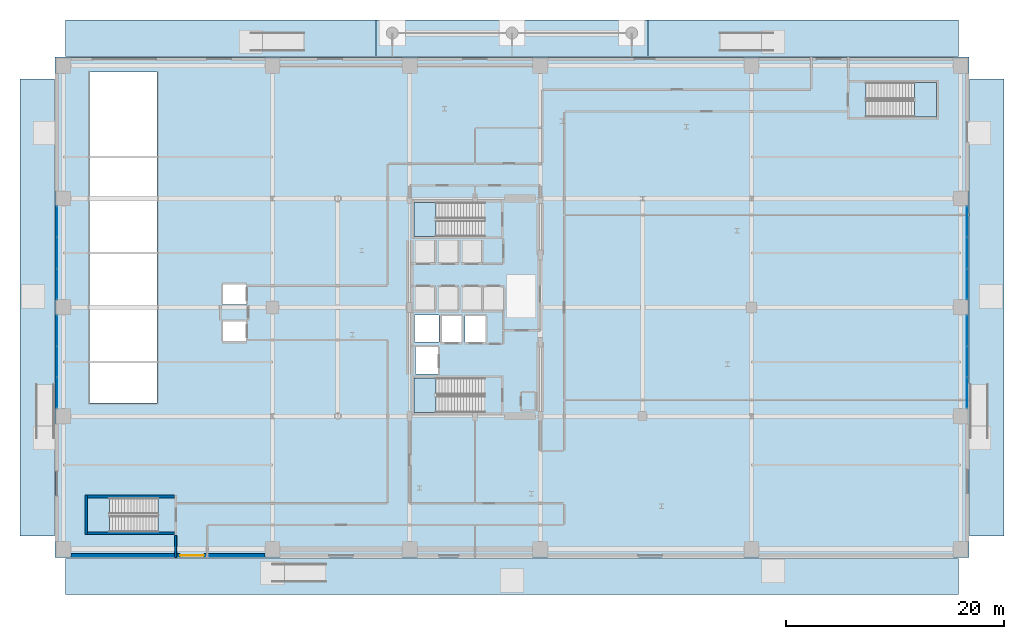
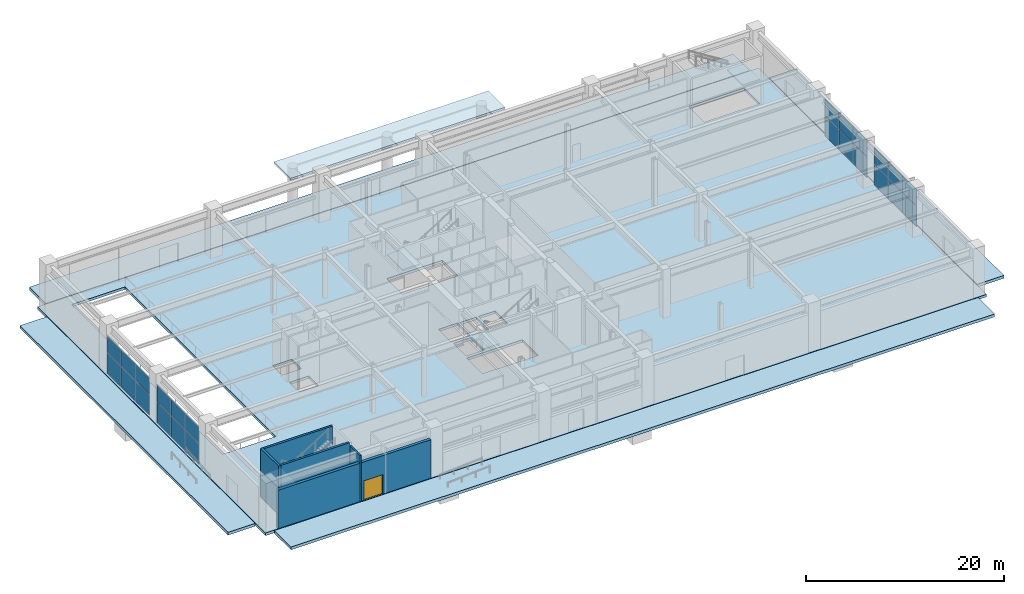
# One storey, part 19 of 31: 24 plates, 10 slabs, 5 walls, 1 door, 1 opening, 8 elements without a shape of their own.
"""IFC4 building model written with IfcOpenShell, lengths in metres."""

from ifc_helpers import new_model, si_unit, direction, frame, frame_2d, origin, origin_2d, place, context, subcontext, project, spatial, polyline, rectangle, outline, extrude, material, layer, layer_set, type_object, element, fill, aggregate, save


model = new_model("IFC4")

# Units and contexts
model_context = context("Model", 3, precision=1e-05, world=origin(), true_north=direction((0.0, 1.0)))
body_context = subcontext(model_context, "Body", "Model", "MODEL_VIEW")
ifc_project = project(units=[si_unit("LENGTHUNIT", "METRE"), si_unit("AREAUNIT", "SQUARE_METRE"), si_unit("VOLUMEUNIT", "CUBIC_METRE"), si_unit("PLANEANGLEUNIT", "RADIAN"), si_unit("MASSUNIT", "GRAM", prefix="KILO")], contexts=[model_context])

# Site, building, storey
site_placement = place(None, origin())
site = spatial("IfcSite", under=ifc_project, at=site_placement, CompositionType="ELEMENT")
building_placement = place(site_placement, origin())
building = spatial("IfcBuilding", under=site, at=building_placement, Name="Soratama Intermodal Tower", CompositionType="ELEMENT")
storey_placement = place(building_placement, origin())
storey = spatial("IfcBuildingStorey", under=building, at=storey_placement, Name="L00", CompositionType="ELEMENT", Elevation=0.0)

# Curtain wall, plates
ifc_material_1 = material(Name="Double-glazed aluminium curtain wall", Category="aluminium")
ifc_layer_1 = layer(ifc_material_1, 0.159912109375)
ifc_layer_set_1 = layer_set([ifc_layer_1], Name="Double-glazed aluminium curtain wall")
curtain_wall_type = type_object("IfcCurtainWallType", Name="CW-SYS-1", PredefinedType="NOTDEFINED", material=ifc_layer_set_1)
curtain_wall_1_placement = place(storey_placement, origin())
curtain_wall_1 = element("IfcCurtainWall", 1, at=curtain_wall_1_placement, inside=storey, type_object=curtain_wall_type, Name="L00 Station Curtain Wall E1", PredefinedType="NOTDEFINED")
ifc_material_2 = material(Name="Low-E laminated double glazing", Category="glass")
ifc_layer_2 = layer(ifc_material_2, 0.035888671875)
ifc_layer_set_2 = layer_set([ifc_layer_2], Name="Low-E laminated double glazing")
plate_type = type_object("IfcPlateType", Name="PT-CWP-1", PredefinedType="CURTAIN_PANEL", material=ifc_layer_set_2)
plate_1_placement = place(storey_placement, frame((83.800048828125, 17.1484375, 0.06005859375), z_axis=(0.0, 0.0, 1.0), x_axis=(0.0, 1.0, 0.0)))
plate_1 = element("IfcPlate", 2, at=plate_1_placement, type_object=plate_type, Name="CW-1 panel 1.1", PredefinedType="CURTAIN_PANEL", context=body_context, shape_type="SweptSolid", body=[
    extrude(rectangle(XDim=2.776611328125, YDim=0.028076171875, at=origin_2d()), origin(), (0.0, 0.0, 1.0), 2.510009765625),
])
plate_2_placement = place(storey_placement, frame((83.800048828125, 17.1484375, 2.630126953125), z_axis=(0.0, 0.0, 1.0), x_axis=(0.0, 1.0, 0.0)))
plate_2 = element("IfcPlate", 3, at=plate_2_placement, type_object=plate_type, Name="CW-1 panel 1.2", PredefinedType="CURTAIN_PANEL", context=body_context, shape_type="SweptSolid", body=[
    extrude(rectangle(XDim=2.776611328125, YDim=0.028076171875, at=origin_2d()), origin(), (0.0, 0.0, 1.0), 2.0458984375),
])
plate_3_placement = place(storey_placement, frame((83.800048828125, 20.0, 0.06005859375), z_axis=(0.0, 0.0, 1.0), x_axis=(0.0, 1.0, 0.0)))
plate_3 = element("IfcPlate", 4, at=plate_3_placement, type_object=plate_type, Name="CW-1 panel 2.1", PredefinedType="CURTAIN_PANEL", context=body_context, shape_type="SweptSolid", body=[
    extrude(rectangle(XDim=2.806640625, YDim=0.028076171875, at=origin_2d()), origin(), (0.0, 0.0, 1.0), 2.510009765625),
])
plate_4_placement = place(storey_placement, frame((83.800048828125, 20.0, 2.630126953125), z_axis=(0.0, 0.0, 1.0), x_axis=(0.0, 1.0, 0.0)))
plate_4 = element("IfcPlate", 5, at=plate_4_placement, type_object=plate_type, Name="CW-1 panel 2.2", PredefinedType="CURTAIN_PANEL", context=body_context, shape_type="SweptSolid", body=[
    extrude(rectangle(XDim=2.806640625, YDim=0.028076171875, at=origin_2d()), origin(), (0.0, 0.0, 1.0), 2.0458984375),
])
plate_5_placement = place(storey_placement, frame((83.800048828125, 22.8515625, 0.06005859375), z_axis=(0.0, 0.0, 1.0), x_axis=(0.0, 1.0, 0.0)))
plate_5 = element("IfcPlate", 6, at=plate_5_placement, type_object=plate_type, Name="CW-1 panel 3.1", PredefinedType="CURTAIN_PANEL", context=body_context, shape_type="SweptSolid", body=[
    extrude(rectangle(XDim=2.776611328125, YDim=0.028076171875, at=origin_2d()), origin(), (0.0, 0.0, 1.0), 2.510009765625),
])
plate_6_placement = place(storey_placement, frame((83.800048828125, 22.8515625, 2.630126953125), z_axis=(0.0, 0.0, 1.0), x_axis=(0.0, 1.0, 0.0)))
plate_6 = element("IfcPlate", 7, at=plate_6_placement, type_object=plate_type, Name="CW-1 panel 3.2", PredefinedType="CURTAIN_PANEL", context=body_context, shape_type="SweptSolid", body=[
    extrude(rectangle(XDim=2.776611328125, YDim=0.028076171875, at=origin_2d()), origin(), (0.0, 0.0, 1.0), 2.0458984375),
])
aggregate(curtain_wall_1, [plate_1, plate_2, plate_3, plate_4, plate_5, plate_6])

curtain_wall_2_placement = place(storey_placement, origin())
curtain_wall_2 = element("IfcCurtainWall", 8, at=curtain_wall_2_placement, inside=storey, type_object=curtain_wall_type, Name="L00 Station Curtain Wall E2", PredefinedType="NOTDEFINED")
plate_7_placement = place(storey_placement, frame((83.800048828125, 27.1484375, 0.06005859375), z_axis=(0.0, 0.0, 1.0), x_axis=(0.0, 1.0, 0.0)))
plate_7 = element("IfcPlate", 9, at=plate_7_placement, type_object=plate_type, Name="CW-1 panel 1.1", PredefinedType="CURTAIN_PANEL", context=body_context, shape_type="SweptSolid", body=[
    extrude(rectangle(XDim=2.776611328125, YDim=0.028076171875, at=origin_2d()), origin(), (0.0, 0.0, 1.0), 2.510009765625),
])
plate_8_placement = place(storey_placement, frame((83.800048828125, 27.1484375, 2.630126953125), z_axis=(0.0, 0.0, 1.0), x_axis=(0.0, 1.0, 0.0)))
plate_8 = element("IfcPlate", 10, at=plate_8_placement, type_object=plate_type, Name="CW-1 panel 1.2", PredefinedType="CURTAIN_PANEL", context=body_context, shape_type="SweptSolid", body=[
    extrude(rectangle(XDim=2.776611328125, YDim=0.028076171875, at=origin_2d()), origin(), (0.0, 0.0, 1.0), 2.0458984375),
])
plate_9_placement = place(storey_placement, frame((83.800048828125, 30.0, 0.06005859375), z_axis=(0.0, 0.0, 1.0), x_axis=(0.0, 1.0, 0.0)))
plate_9 = element("IfcPlate", 11, at=plate_9_placement, type_object=plate_type, Name="CW-1 panel 2.1", PredefinedType="CURTAIN_PANEL", context=body_context, shape_type="SweptSolid", body=[
    extrude(rectangle(XDim=2.806640625, YDim=0.028076171875, at=origin_2d()), origin(), (0.0, 0.0, 1.0), 2.510009765625),
])
plate_10_placement = place(storey_placement, frame((83.800048828125, 30.0, 2.630126953125), z_axis=(0.0, 0.0, 1.0), x_axis=(0.0, 1.0, 0.0)))
plate_10 = element("IfcPlate", 12, at=plate_10_placement, type_object=plate_type, Name="CW-1 panel 2.2", PredefinedType="CURTAIN_PANEL", context=body_context, shape_type="SweptSolid", body=[
    extrude(rectangle(XDim=2.806640625, YDim=0.028076171875, at=origin_2d()), origin(), (0.0, 0.0, 1.0), 2.0458984375),
])
plate_11_placement = place(storey_placement, frame((83.800048828125, 32.8515625, 0.06005859375), z_axis=(0.0, 0.0, 1.0), x_axis=(0.0, 1.0, 0.0)))
plate_11 = element("IfcPlate", 13, at=plate_11_placement, type_object=plate_type, Name="CW-1 panel 3.1", PredefinedType="CURTAIN_PANEL", context=body_context, shape_type="SweptSolid", body=[
    extrude(rectangle(XDim=2.776611328125, YDim=0.028076171875, at=origin_2d()), origin(), (0.0, 0.0, 1.0), 2.510009765625),
])
plate_12_placement = place(storey_placement, frame((83.800048828125, 32.8515625, 2.630126953125), z_axis=(0.0, 0.0, 1.0), x_axis=(0.0, 1.0, 0.0)))
plate_12 = element("IfcPlate", 14, at=plate_12_placement, type_object=plate_type, Name="CW-1 panel 3.2", PredefinedType="CURTAIN_PANEL", context=body_context, shape_type="SweptSolid", body=[
    extrude(rectangle(XDim=2.776611328125, YDim=0.028076171875, at=origin_2d()), origin(), (0.0, 0.0, 1.0), 2.0458984375),
])
aggregate(curtain_wall_2, [plate_7, plate_8, plate_9, plate_10, plate_11, plate_12])

curtain_wall_3_placement = place(storey_placement, origin())
curtain_wall_3 = element("IfcCurtainWall", 15, at=curtain_wall_3_placement, inside=storey, type_object=curtain_wall_type, Name="L00 Station Curtain Wall W1", PredefinedType="NOTDEFINED")
plate_13_placement = place(storey_placement, frame((0.199951171875, 17.1484375, 0.06005859375), z_axis=(0.0, 0.0, 1.0), x_axis=(0.0, 1.0, 0.0)))
plate_13 = element("IfcPlate", 16, at=plate_13_placement, type_object=plate_type, Name="CW-1 panel 1.1", PredefinedType="CURTAIN_PANEL", context=body_context, shape_type="SweptSolid", body=[
    extrude(rectangle(XDim=2.776611328125, YDim=0.028076171875, at=origin_2d()), origin(), (0.0, 0.0, 1.0), 2.510009765625),
])
plate_14_placement = place(storey_placement, frame((0.199951171875, 17.1484375, 2.630126953125), z_axis=(0.0, 0.0, 1.0), x_axis=(0.0, 1.0, 0.0)))
plate_14 = element("IfcPlate", 17, at=plate_14_placement, type_object=plate_type, Name="CW-1 panel 1.2", PredefinedType="CURTAIN_PANEL", context=body_context, shape_type="SweptSolid", body=[
    extrude(rectangle(XDim=2.776611328125, YDim=0.028076171875, at=origin_2d()), origin(), (0.0, 0.0, 1.0), 2.0458984375),
])
plate_15_placement = place(storey_placement, frame((0.199951171875, 20.0, 0.06005859375), z_axis=(0.0, 0.0, 1.0), x_axis=(0.0, 1.0, 0.0)))
plate_15 = element("IfcPlate", 18, at=plate_15_placement, type_object=plate_type, Name="CW-1 panel 2.1", PredefinedType="CURTAIN_PANEL", context=body_context, shape_type="SweptSolid", body=[
    extrude(rectangle(XDim=2.806640625, YDim=0.028076171875, at=origin_2d()), origin(), (0.0, 0.0, 1.0), 2.510009765625),
])
plate_16_placement = place(storey_placement, frame((0.199951171875, 20.0, 2.630126953125), z_axis=(0.0, 0.0, 1.0), x_axis=(0.0, 1.0, 0.0)))
plate_16 = element("IfcPlate", 19, at=plate_16_placement, type_object=plate_type, Name="CW-1 panel 2.2", PredefinedType="CURTAIN_PANEL", context=body_context, shape_type="SweptSolid", body=[
    extrude(rectangle(XDim=2.806640625, YDim=0.028076171875, at=origin_2d()), origin(), (0.0, 0.0, 1.0), 2.0458984375),
])
plate_17_placement = place(storey_placement, frame((0.199951171875, 22.8515625, 0.06005859375), z_axis=(0.0, 0.0, 1.0), x_axis=(0.0, 1.0, 0.0)))
plate_17 = element("IfcPlate", 20, at=plate_17_placement, type_object=plate_type, Name="CW-1 panel 3.1", PredefinedType="CURTAIN_PANEL", context=body_context, shape_type="SweptSolid", body=[
    extrude(rectangle(XDim=2.776611328125, YDim=0.028076171875, at=origin_2d()), origin(), (0.0, 0.0, 1.0), 2.510009765625),
])
plate_18_placement = place(storey_placement, frame((0.199951171875, 22.8515625, 2.630126953125), z_axis=(0.0, 0.0, 1.0), x_axis=(0.0, 1.0, 0.0)))
plate_18 = element("IfcPlate", 21, at=plate_18_placement, type_object=plate_type, Name="CW-1 panel 3.2", PredefinedType="CURTAIN_PANEL", context=body_context, shape_type="SweptSolid", body=[
    extrude(rectangle(XDim=2.776611328125, YDim=0.028076171875, at=origin_2d()), origin(), (0.0, 0.0, 1.0), 2.0458984375),
])
aggregate(curtain_wall_3, [plate_13, plate_14, plate_15, plate_16, plate_17, plate_18])

curtain_wall_4_placement = place(storey_placement, origin())
curtain_wall_4 = element("IfcCurtainWall", 22, at=curtain_wall_4_placement, inside=storey, type_object=curtain_wall_type, Name="L00 Station Curtain Wall W2", PredefinedType="NOTDEFINED")
plate_19_placement = place(storey_placement, frame((0.199951171875, 27.1484375, 0.06005859375), z_axis=(0.0, 0.0, 1.0), x_axis=(0.0, 1.0, 0.0)))
plate_19 = element("IfcPlate", 23, at=plate_19_placement, type_object=plate_type, Name="CW-1 panel 1.1", PredefinedType="CURTAIN_PANEL", context=body_context, shape_type="SweptSolid", body=[
    extrude(rectangle(XDim=2.776611328125, YDim=0.028076171875, at=origin_2d()), origin(), (0.0, 0.0, 1.0), 2.510009765625),
])
plate_20_placement = place(storey_placement, frame((0.199951171875, 27.1484375, 2.630126953125), z_axis=(0.0, 0.0, 1.0), x_axis=(0.0, 1.0, 0.0)))
plate_20 = element("IfcPlate", 24, at=plate_20_placement, type_object=plate_type, Name="CW-1 panel 1.2", PredefinedType="CURTAIN_PANEL", context=body_context, shape_type="SweptSolid", body=[
    extrude(rectangle(XDim=2.776611328125, YDim=0.028076171875, at=origin_2d()), origin(), (0.0, 0.0, 1.0), 2.0458984375),
])
plate_21_placement = place(storey_placement, frame((0.199951171875, 30.0, 0.06005859375), z_axis=(0.0, 0.0, 1.0), x_axis=(0.0, 1.0, 0.0)))
plate_21 = element("IfcPlate", 25, at=plate_21_placement, type_object=plate_type, Name="CW-1 panel 2.1", PredefinedType="CURTAIN_PANEL", context=body_context, shape_type="SweptSolid", body=[
    extrude(rectangle(XDim=2.806640625, YDim=0.028076171875, at=origin_2d()), origin(), (0.0, 0.0, 1.0), 2.510009765625),
])
plate_22_placement = place(storey_placement, frame((0.199951171875, 30.0, 2.630126953125), z_axis=(0.0, 0.0, 1.0), x_axis=(0.0, 1.0, 0.0)))
plate_22 = element("IfcPlate", 26, at=plate_22_placement, type_object=plate_type, Name="CW-1 panel 2.2", PredefinedType="CURTAIN_PANEL", context=body_context, shape_type="SweptSolid", body=[
    extrude(rectangle(XDim=2.806640625, YDim=0.028076171875, at=origin_2d()), origin(), (0.0, 0.0, 1.0), 2.0458984375),
])
plate_23_placement = place(storey_placement, frame((0.199951171875, 32.8515625, 0.06005859375), z_axis=(0.0, 0.0, 1.0), x_axis=(0.0, 1.0, 0.0)))
plate_23 = element("IfcPlate", 27, at=plate_23_placement, type_object=plate_type, Name="CW-1 panel 3.1", PredefinedType="CURTAIN_PANEL", context=body_context, shape_type="SweptSolid", body=[
    extrude(rectangle(XDim=2.776611328125, YDim=0.028076171875, at=origin_2d()), origin(), (0.0, 0.0, 1.0), 2.510009765625),
])
plate_24_placement = place(storey_placement, frame((0.199951171875, 32.8515625, 2.630126953125), z_axis=(0.0, 0.0, 1.0), x_axis=(0.0, 1.0, 0.0)))
plate_24 = element("IfcPlate", 28, at=plate_24_placement, type_object=plate_type, Name="CW-1 panel 3.2", PredefinedType="CURTAIN_PANEL", context=body_context, shape_type="SweptSolid", body=[
    extrude(rectangle(XDim=2.776611328125, YDim=0.028076171875, at=origin_2d()), origin(), (0.0, 0.0, 1.0), 2.0458984375),
])
aggregate(curtain_wall_4, [plate_19, plate_20, plate_21, plate_22, plate_23, plate_24])

# Slabs
ifc_material_3 = material(Name="Concrete f'c 42 MPa", Category="concrete")
ifc_layer_3 = layer(ifc_material_3, 0.35009765625)
ifc_layer_set_3 = layer_set([ifc_layer_3], Name="Concrete f'c 42 MPa")
slab_type_1 = type_object("IfcSlabType", Name="SL-EXT-APRON", PredefinedType="BASESLAB", material=ifc_layer_set_3)
slab_1_placement = place(storey_placement, frame((0.0, 0.0, -0.35009765625)))
element("IfcSlab", 29, at=slab_1_placement, inside=storey, type_object=slab_type_1, Name="L00 North Plaza and Ramp Apron", PredefinedType="BASESLAB", context=body_context, shape_type="SweptSolid", body=[
    extrude(outline(polyline([(1.0, 48.050048828125), (83.0, 48.050048828125), (83.0, 51.39990234375), (1.0, 51.39990234375), (1.0, 48.050048828125)])), origin(), (0.0, 0.0, 1.0), 0.35009765625),
])
slab_2_placement = place(storey_placement, frame((0.0, 0.0, -0.35009765625)))
element("IfcSlab", 30, at=slab_2_placement, inside=storey, type_object=slab_type_1, Name="L00 South Exit Walkway Paving", PredefinedType="BASESLAB", context=body_context, shape_type="SweptSolid", body=[
    extrude(outline(polyline([(1.0, -1.39990234375), (83.0, -1.39990234375), (83.0, 1.949951171875), (1.0, 1.949951171875), (1.0, -1.39990234375)])), origin(), (0.0, 0.0, 1.0), 0.35009765625),
])
slab_3_placement = place(storey_placement, frame((0.0, 0.0, -0.35009765625)))
element("IfcSlab", 31, at=slab_3_placement, inside=storey, type_object=slab_type_1, Name="L00 East BRT Apron Paving", PredefinedType="BASESLAB", context=body_context, shape_type="SweptSolid", body=[
    extrude(outline(polyline([(84.050048828125, 4.0), (87.199951171875, 4.0), (87.199951171875, 46.0), (84.050048828125, 46.0), (84.050048828125, 4.0)])), origin(), (0.0, 0.0, 1.0), 0.35009765625),
])
slab_4_placement = place(storey_placement, frame((0.0, 0.0, -0.35009765625)))
element("IfcSlab", 32, at=slab_4_placement, inside=storey, type_object=slab_type_1, Name="L00 West Concourse Apron Paving", PredefinedType="BASESLAB", context=body_context, shape_type="SweptSolid", body=[
    extrude(outline(polyline([(-3.199951171875, 4.0), (-0.050048828125, 4.0), (-0.050048828125, 46.0), (-3.199951171875, 46.0), (-3.199951171875, 4.0)])), origin(), (0.0, 0.0, 1.0), 0.35009765625),
])
ifc_material_4 = material(Name="Concrete f'c 42 MPa", Category="concrete")
ifc_layer_4 = layer(ifc_material_4, 0.320068359375)
ifc_layer_set_4 = layer_set([ifc_layer_4], Name="Concrete f'c 42 MPa")
slab_type_2 = type_object("IfcSlabType", Name="SL-POD-320", PredefinedType="FLOOR", material=ifc_layer_set_4)
slab_5_placement = place(storey_placement, frame((0.0, 0.0, -0.320068359375)))
element("IfcSlab", 33, at=slab_5_placement, inside=storey, type_object=slab_type_2, Name="L00 Structural Floor Slab", PredefinedType="FLOOR", context=body_context, shape_type="SweptSolid", body=[
    extrude(outline(polyline([(0.0, 2.0), (84.0, 2.0), (84.0, 48.0), (0.0, 48.0), (0.0, 2.0)]), holes=[polyline([(3.0, 7.5), (3.0, 4.35009765625), (9.47509765625, 4.35009765625), (9.47509765625, 7.5), (3.0, 7.5)]), polyline([(35.260009765625, 21.409912109375), (33.139892578125, 21.409912109375), (33.139892578125, 18.889892578125), (35.260009765625, 18.889892578125), (35.260009765625, 21.409912109375)]), polyline([(17.610107421875, 23.760009765625), (15.389892578125, 23.760009765625), (15.389892578125, 21.840087890625), (17.610107421875, 21.840087890625), (17.610107421875, 23.760009765625)]), polyline([(33.050048828125, 21.800048828125), (35.280029296875, 21.800048828125), (35.280029296875, 24.320068359375), (33.050048828125, 24.320068359375), (33.050048828125, 21.800048828125)]), polyline([(17.610107421875, 25.239990234375), (17.610107421875, 27.159912109375), (15.389892578125, 27.159912109375), (15.389892578125, 25.239990234375), (17.610107421875, 25.239990234375)]), polyline([(9.39990234375, 46.60009765625), (3.199951171875, 46.60009765625), (3.199951171875, 16.199951171875), (9.39990234375, 16.199951171875), (9.39990234375, 46.60009765625)]), polyline([(39.47509765625, 18.5), (33.0, 18.5), (33.0, 15.35009765625), (39.47509765625, 15.35009765625), (39.47509765625, 18.5)]), polyline([(37.409912109375, 21.739990234375), (37.409912109375, 24.260009765625), (35.489990234375, 24.260009765625), (35.489990234375, 21.739990234375), (37.409912109375, 21.739990234375)]), polyline([(39.610107421875, 24.260009765625), (37.68994140625, 24.260009765625), (37.68994140625, 21.739990234375), (39.610107421875, 21.739990234375), (39.610107421875, 24.260009765625)]), polyline([(39.47509765625, 34.64990234375), (33.0, 34.64990234375), (33.0, 31.5), (39.47509765625, 31.5), (39.47509765625, 34.64990234375)]), polyline([(74.52490234375, 42.5), (81.0, 42.5), (81.0, 45.64990234375), (74.52490234375, 45.64990234375), (74.52490234375, 42.5)])]), origin(), (0.0, 0.0, 1.0), 0.320068359375),
])
ifc_material_5 = material(Name="Concrete f'c 42 MPa", Category="concrete")
ifc_layer_5 = layer(ifc_material_5, 0.35009765625)
ifc_layer_set_5 = layer_set([ifc_layer_5], Name="Concrete f'c 42 MPa")
slab_type_3 = type_object("IfcSlabType", Name="SL-ROOF-350", PredefinedType="ROOF", material=ifc_layer_set_5)
slab_6_placement = place(storey_placement, frame((0.0, 0.0, 5.199951171875)))
element("IfcSlab", 34, at=slab_6_placement, inside=storey, type_object=slab_type_3, Name="L00 North Station Canopy Slab", PredefinedType="ROOF", context=body_context, shape_type="SweptSolid", body=[
    extrude(outline(polyline([(29.5, 48.050048828125), (54.5, 48.050048828125), (54.5, 51.39990234375), (29.5, 51.39990234375), (29.5, 48.050048828125)])), origin(), (0.0, 0.0, 1.0), 0.25),
])

# Stair, slab
ifc_material_6 = material(Name="Concrete f'c 42 MPa", Category="concrete")
stair_type = type_object("IfcStairType", Name="ST-CORE-DOGLEG", PredefinedType="HALF_TURN_STAIR", material=ifc_material_6)
stair_1_placement = place(storey_placement, origin())
stair_1 = element("IfcStair", 35, at=stair_1_placement, inside=storey, type_object=stair_type, Name="L00 ST-1", PredefinedType="HALF_TURN_STAIR")
ifc_material_7 = material(Name="Concrete f'c 42 MPa", Category="concrete")
ifc_layer_6 = layer(ifc_material_7, 0.219970703125)
ifc_layer_set_6 = layer_set([ifc_layer_6], Name="Concrete f'c 42 MPa")
slab_type_4 = type_object("IfcSlabType", Name="SL-STAIR-LAND", PredefinedType="LANDING", material=ifc_layer_set_6)
slab_7_placement = place(storey_placement, frame((0.0, 0.0, 2.800048828125)))
slab_7 = element("IfcSlab", 36, at=slab_7_placement, type_object=slab_type_4, Name="ST-1 landing 1", PredefinedType="LANDING", context=body_context, shape_type="SweptSolid", body=[
    extrude(outline(polyline([(35.02001953125, 18.5), (33.0, 18.5), (33.0, 15.35009765625), (35.02001953125, 15.35009765625), (35.02001953125, 18.5)])), origin(), (0.0, 0.0, 1.0), 0.199951171875),
])
aggregate(stair_1, [slab_7])

stair_2_placement = place(storey_placement, origin())
stair_2 = element("IfcStair", 37, at=stair_2_placement, inside=storey, type_object=stair_type, Name="L00 ST-2", PredefinedType="HALF_TURN_STAIR")
slab_8_placement = place(storey_placement, frame((0.0, 0.0, 2.800048828125)))
slab_8 = element("IfcSlab", 38, at=slab_8_placement, type_object=slab_type_4, Name="ST-2 landing 1", PredefinedType="LANDING", context=body_context, shape_type="SweptSolid", body=[
    extrude(outline(polyline([(35.02001953125, 34.64990234375), (33.0, 34.64990234375), (33.0, 31.5), (35.02001953125, 31.5), (35.02001953125, 34.64990234375)])), origin(), (0.0, 0.0, 1.0), 0.199951171875),
])
aggregate(stair_2, [slab_8])

stair_3_placement = place(storey_placement, origin())
stair_3 = element("IfcStair", 39, at=stair_3_placement, inside=storey, type_object=stair_type, Name="L00 ST-3", PredefinedType="HALF_TURN_STAIR")
slab_9_placement = place(storey_placement, frame((0.0, 0.0, 2.800048828125)))
slab_9 = element("IfcSlab", 40, at=slab_9_placement, type_object=slab_type_4, Name="ST-3 landing 1", PredefinedType="LANDING", context=body_context, shape_type="SweptSolid", body=[
    extrude(outline(polyline([(5.02001953125, 7.5), (3.0, 7.5), (3.0, 4.35009765625), (5.02001953125, 4.35009765625), (5.02001953125, 7.5)])), origin(), (0.0, 0.0, 1.0), 0.199951171875),
])
aggregate(stair_3, [slab_9])

stair_4_placement = place(storey_placement, origin())
stair_4 = element("IfcStair", 41, at=stair_4_placement, inside=storey, type_object=stair_type, Name="L00 ST-4", PredefinedType="HALF_TURN_STAIR")
slab_10_placement = place(storey_placement, frame((0.0, 0.0, 2.800048828125)))
slab_10 = element("IfcSlab", 42, at=slab_10_placement, type_object=slab_type_4, Name="ST-4 landing 1", PredefinedType="LANDING", context=body_context, shape_type="SweptSolid", body=[
    extrude(outline(polyline([(78.97998046875, 42.5), (81.0, 42.5), (81.0, 45.64990234375), (78.97998046875, 45.64990234375), (78.97998046875, 42.5)])), origin(), (0.0, 0.0, 1.0), 0.199951171875),
])
aggregate(stair_4, [slab_10])

# Wall, opening, door
ifc_material_8 = material(Name="Concrete f'c 42 MPa", Category="concrete")
ifc_layer_7 = layer(ifc_material_8, 0.340087890625)
ifc_layer_set_7 = layer_set([ifc_layer_7], Name="Concrete f'c 42 MPa")
wall_type_1 = type_object("IfcWallType", Name="EW-STONE-340", PredefinedType="SOLIDWALL", material=ifc_layer_set_7)
wall_1_placement = place(storey_placement, frame((19.300048828125, 2.199951171875, 0.0), z_axis=(0.0, 0.0, 1.0), x_axis=(-1.0, 0.0, 0.0)))
wall_1 = element("IfcWall", 43, at=wall_1_placement, inside=storey, type_object=wall_type_1, Name="L00 South West Facade Wall", PredefinedType="SOLIDWALL", context=body_context, shape_type="SweptSolid", body=[
    extrude(rectangle(XDim=17.800048828125, YDim=0.340087890625, at=frame_2d((8.89990234375, 0.0))), origin(), (0.0, 0.0, 1.0), 4.736083984375),
])
opening_placement = place(wall_1_placement, frame((5.60009765625, 0.0, 0.0)))
opening = element("IfcOpeningElement", 44, at=opening_placement, cuts=wall_1, Name="Opening ED-1", PredefinedType="OPENING", context=body_context, shape_type="SweptSolid", body=[
    extrude(rectangle(XDim=2.199951171875, YDim=2.39990234375, at=frame_2d((1.10009765625, 1.199951171875))), frame((0.0, 0.179931640625, 0.0), z_axis=(0.0, -1.0, 0.0), x_axis=(1.0, 0.0, 0.0)), (0.0, 0.0, 1.0), 0.360107421875),
])
ifc_material_9 = material(Name="Double-glazed aluminium door", Category="aluminium")
door_type = type_object("IfcDoorType", Name="DR-EXIT-2200", OperationType="NOTDEFINED", PredefinedType="DOOR", material=ifc_material_9)
door_placement = place(opening_placement, origin())
door = element("IfcDoor", 45, at=door_placement, inside=storey, type_object=door_type, Name="L00 Stair ST-3 South Exit Discharge Door", OperationType="SINGLE_SWING_LEFT", OverallHeight=2.39990234375, OverallWidth=2.199951171875, PredefinedType="DOOR", context=body_context, shape_type="SweptSolid", body=[
    extrude(rectangle(XDim=2.199951171875, YDim=2.39990234375, at=frame_2d((1.10009765625, 1.199951171875))), frame((0.0, 0.02490234375, 0.0), z_axis=(0.0, -1.0, 0.0), x_axis=(1.0, 0.0, 0.0)), (0.0, 0.0, 1.0), 0.050048828125),
])
fill(opening, door)

# Walls
ifc_material_10 = material(Name="Fire-rated gypsum stud partition", Category="concrete")
ifc_layer_8 = layer(ifc_material_10, 0.169921875)
ifc_layer_set_8 = layer_set([ifc_layer_8], Name="Fire-rated gypsum stud partition")
wall_type_2 = type_object("IfcWallType", Name="IW-PART-R170", PredefinedType="PARTITIONING", material=ifc_layer_set_8)
wall_2_placement = place(storey_placement, frame((11.10009765625, 2.0, 0.0), z_axis=(0.0, 0.0, 1.0), x_axis=(0.0, 1.0, 0.0)))
element("IfcWall", 46, at=wall_2_placement, inside=storey, type_object=wall_type_2, Name="L00 Partition W-L00-TP036", PredefinedType="PARTITIONING", context=body_context, shape_type="SweptSolid", body=[
    extrude(rectangle(XDim=2.030029296875, YDim=0.169921875, at=frame_2d((1.01513671875, 0.0))), origin(), (0.0, 0.0, 1.0), 5.679931640625),
])
ifc_material_11 = material(Name="Concrete f'c 56 MPa", Category="concrete")
ifc_layer_9 = layer(ifc_material_11, 0.239990234375)
ifc_layer_set_9 = layer_set([ifc_layer_9], Name="Concrete f'c 56 MPa")
wall_type_3 = type_object("IfcWallType", Name="SW-STAIR-240", PredefinedType="SHEAR", material=ifc_layer_set_9)
wall_3_placement = place(storey_placement, frame((2.8798828125, 4.110107421875, 0.0), z_axis=(0.0, 0.0, 1.0), x_axis=(0.0, 1.0, 0.0)))
element("IfcWall", 47, at=wall_3_placement, inside=storey, type_object=wall_type_3, Name="L00 ST-3 Shaft Shear Wall W", PredefinedType="SHEAR", context=body_context, shape_type="SweptSolid", body=[
    extrude(rectangle(XDim=3.6298828125, YDim=0.239990234375, at=frame_2d((1.81494140625, 0.0))), origin(), (0.0, 0.0, 1.0), 6.0),
])
for number, where, z_axis, x_axis, name in (
    (48, (3.0, 4.22998046875, 0.0), (0.0, 0.0, 1.0), (1.0, 0.0, 0.0), "L00 ST-3 Shaft Shear Wall S"),
    (49, (3.0, 7.6201171875, 0.0), (0.0, 0.0, 1.0), (1.0, 0.0, 0.0), "L00 ST-3 Shaft Shear Wall N"),
):
    element("IfcWall", number, at=place(storey_placement, frame(where, z_axis=z_axis, x_axis=x_axis)), inside=storey, type_object=wall_type_3, Name=name, PredefinedType="SHEAR", context=body_context, shape_type="SweptSolid", body=[
        extrude(rectangle(XDim=8.0, YDim=0.239990234375, at=frame_2d((4.0, 0.0))), origin(), (0.0, 0.0, 1.0), 6.0),
    ])

save(model, "model.ifc")
